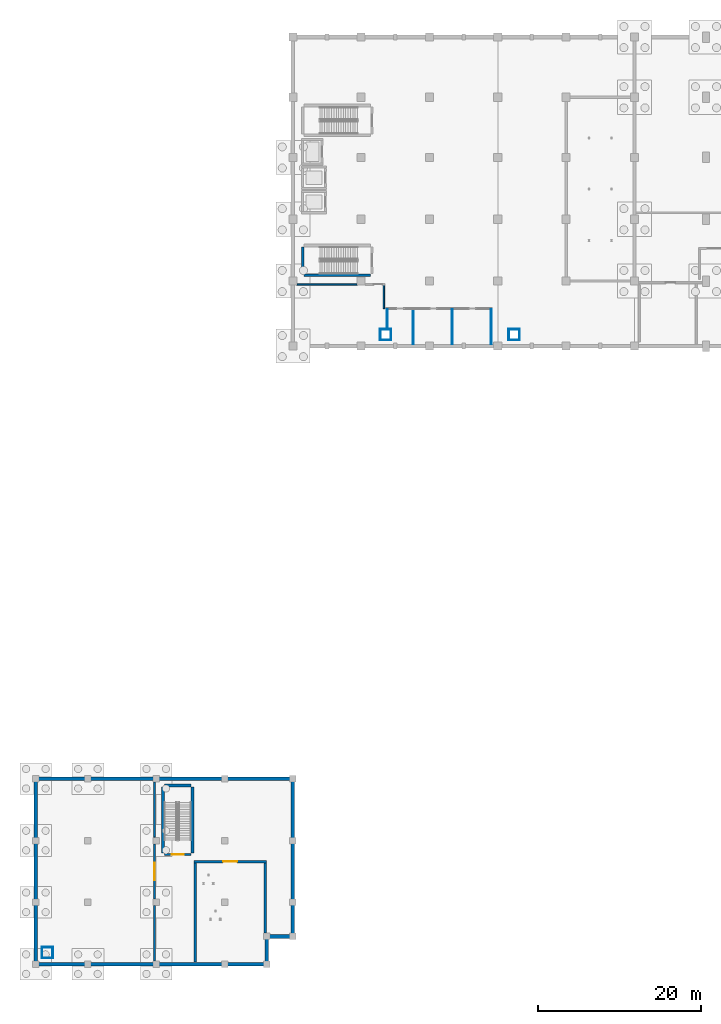
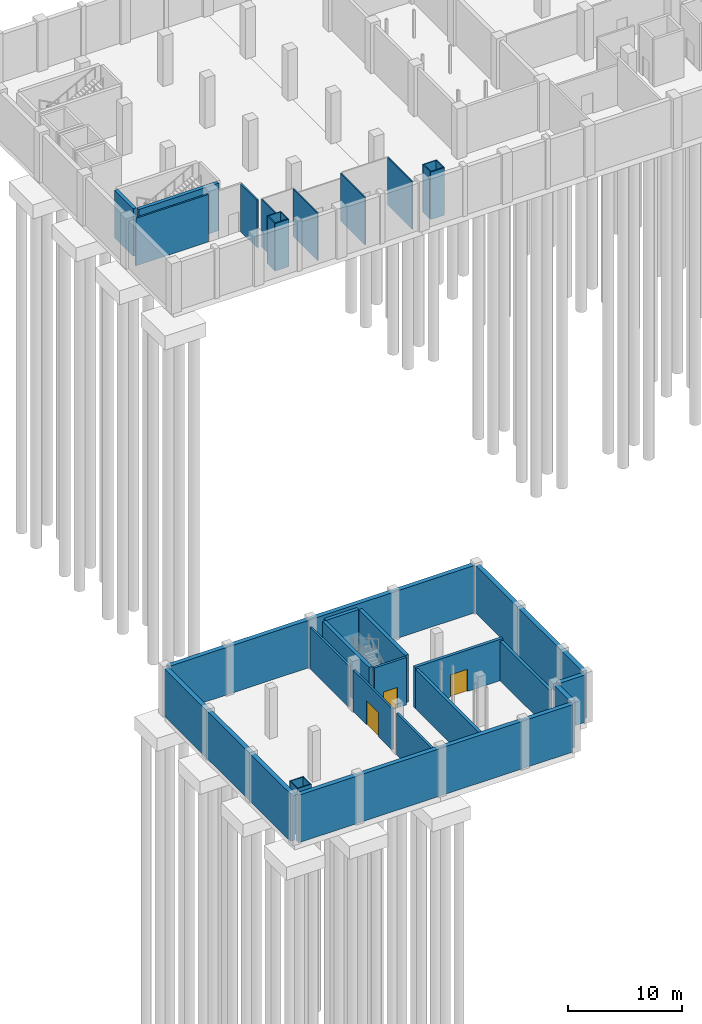
# One storey, part 10 of 20: 36 walls, 3 doors, 3 openings.
"""IFC4 building model written with IfcOpenShell, lengths in metres."""

from ifc_helpers import new_model, si_unit, direction, frame, frame_2d, origin, place, context, subcontext, project, spatial, rectangle, extrude, material, layer, layer_set, type_object, element, fill, save


model = new_model("IFC4")

# Units and contexts
model_context = context("Model", 3, precision=1e-05, world=origin(), true_north=direction((0.0, 1.0)))
body_context = subcontext(model_context, "Body", "Model", "MODEL_VIEW")
ifc_project = project(units=[si_unit("LENGTHUNIT", "METRE"), si_unit("AREAUNIT", "SQUARE_METRE"), si_unit("VOLUMEUNIT", "CUBIC_METRE"), si_unit("PLANEANGLEUNIT", "RADIAN"), si_unit("MASSUNIT", "GRAM", prefix="KILO")], contexts=[model_context])

# Site, building, storey
site_placement = place(None, origin())
site = spatial("IfcSite", under=ifc_project, at=site_placement, CompositionType="ELEMENT")
building_placement = place(site_placement, origin())
building = spatial("IfcBuilding", under=site, at=building_placement, Name="Shengluoqiao Park Theatre", CompositionType="ELEMENT")
storey_placement = place(building_placement, frame((0.0, 0.0, -5.39990234375)))
storey = spatial("IfcBuildingStorey", under=building, at=storey_placement, Name="B1", CompositionType="ELEMENT", Elevation=-5.39990234375)

# Wall, opening, door
ifc_material_1 = material(Name="Gypsum acoustic stud", Category="gypsum")
ifc_layer_1 = layer(ifc_material_1, 0.300048828125, Name="Gypsum acoustic stud")
ifc_layer_set_1 = layer_set([ifc_layer_1], Name="Gypsum acoustic stud")
wall_type_1 = type_object("IfcWallType", Name="INT-WL-ACO300", PredefinedType="PARTITIONING", material=ifc_layer_set_1)
wall_1_placement = place(storey_placement, frame((32.25, 12.60009765625, 0.0), z_axis=(0.0, 0.0, 1.0), x_axis=(1.0, 0.0, 0.0)))
wall_1 = element("IfcWall", 1, at=wall_1_placement, inside=storey, type_object=wall_type_1, Name="Black-Box Acoustic Percussion Studio Partition N", PredefinedType="PARTITIONING", context=body_context, shape_type="SweptSolid", body=[
    extrude(rectangle(XDim=8.89990234375, YDim=0.300048828125, at=frame_2d((4.449951171875, 0.0))), origin(), (0.0, 0.0, 1.0), 4.43798828125),
])
opening_1_placement = place(wall_1_placement, frame((3.590087890625, 0.0, 0.0)))
opening_1 = element("IfcOpeningElement", 2, at=opening_1_placement, cuts=wall_1, Name="Opening D-B1-006", PredefinedType="OPENING", context=body_context, shape_type="SweptSolid", body=[
    extrude(rectangle(XDim=1.719970703125, YDim=2.3798828125, at=frame_2d((0.85986328125, 1.18994140625))), frame((0.0, 0.159912109375, 0.0), z_axis=(0.0, -1.0, 0.0), x_axis=(1.0, 0.0, 0.0)), (0.0, 0.0, 1.0), 0.320068359375),
])
ifc_material_2 = material(Name="Acoustic timber", Category="wood")
door_type_1 = type_object("IfcDoorType", Name="INT-DR-REH172", OperationType="DOUBLE_DOOR_SINGLE_SWING", PredefinedType="DOOR", material=ifc_material_2)
door_1_placement = place(opening_1_placement, origin())
door_1 = element("IfcDoor", 3, at=door_1_placement, inside=storey, type_object=door_type_1, Name="Black-Box Acoustic Percussion Studio Door D-B1-006", OperationType="DOUBLE_DOOR_SINGLE_SWING", OverallHeight=2.3798828125, OverallWidth=1.719970703125, PredefinedType="DOOR", context=body_context, shape_type="SweptSolid", body=[
    extrude(rectangle(XDim=1.719970703125, YDim=2.3798828125, at=frame_2d((0.85986328125, 1.18994140625))), frame((0.0, 0.02490234375, 0.0), z_axis=(0.0, -1.0, 0.0), x_axis=(1.0, 0.0, 0.0)), (0.0, 0.0, 1.0), 0.050048828125),
])
fill(opening_1, door_1)

# Walls
wall_2_placement = place(storey_placement, frame((41.0, 3.805908203125, 0.0), z_axis=(0.0, 0.0, 1.0), x_axis=(0.0, 1.0, 0.0)))
element("IfcWall", 4, at=wall_2_placement, inside=storey, type_object=wall_type_1, Name="Black-Box Acoustic Percussion Studio Partition E", PredefinedType="PARTITIONING", context=body_context, shape_type="SweptSolid", body=[
    extrude(rectangle(XDim=8.63818359375, YDim=0.300048828125, at=frame_2d((4.319091796875, 0.0))), origin(), (0.0, 0.0, 1.0), 4.23779296875),
])
wall_3_placement = place(storey_placement, frame((32.39990234375, 0.23291015625, 0.0), z_axis=(0.0, 0.0, 1.0), x_axis=(0.0, 1.0, 0.0)))
element("IfcWall", 5, at=wall_3_placement, inside=storey, type_object=wall_type_1, Name="Black-Box Acoustic Percussion Studio Partition W", PredefinedType="PARTITIONING", context=body_context, shape_type="SweptSolid", body=[
    extrude(rectangle(XDim=12.211181640625, YDim=0.300048828125, at=frame_2d((6.10546875, 0.0))), origin(), (0.0, 0.0, 1.0), 4.23779296875),
])
ifc_material_3 = material(Name="Concrete blockwork B06", Category="masonry")
ifc_layer_2 = layer(ifc_material_3, 0.2099609375, Name="Concrete blockwork B06")
ifc_layer_set_2 = layer_set([ifc_layer_2], Name="Concrete blockwork B06")
wall_type_2 = type_object("IfcWallType", Name="INT-WL-CMP210", PredefinedType="PARTITIONING", material=ifc_layer_set_2)
wall_4_placement = place(storey_placement, frame((27.39990234375, 15.60595703125, 0.0), z_axis=(0.0, 0.0, 1.0), x_axis=(0.0, 1.0, 0.0)))
element("IfcWall", 6, at=wall_4_placement, inside=storey, type_object=wall_type_2, Name="Black-Box Understage Trap and Scenery Workshop Partition E", PredefinedType="PARTITIONING", context=body_context, shape_type="SweptSolid", body=[
    extrude(rectangle(XDim=6.7861328125, YDim=0.2099609375, at=frame_2d((3.39306640625, 0.0))), origin(), (0.0, 0.0, 1.0), 4.449951171875),
])

# Wall, opening, door
wall_5_placement = place(storey_placement, frame((27.39990234375, 8.006103515625, 0.0), z_axis=(0.0, 0.0, 1.0), x_axis=(0.0, 1.0, 0.0)))
wall_5 = element("IfcWall", 7, at=wall_5_placement, inside=storey, type_object=wall_type_2, Name="Black-Box Understage Trap and Scenery Workshop Partition E", PredefinedType="PARTITIONING", context=body_context, shape_type="SweptSolid", body=[
    extrude(rectangle(XDim=6.787841796875, YDim=0.2099609375, at=frame_2d((3.39404296875, 0.0))), origin(), (0.0, 0.0, 1.0), 4.449951171875),
])
opening_2_placement = place(wall_5_placement, frame((2.303955078125, 0.0, 0.0)))
opening_2 = element("IfcOpeningElement", 8, at=opening_2_placement, cuts=wall_5, Name="Opening D-B1-005", PredefinedType="OPENING", context=body_context, shape_type="SweptSolid", body=[
    extrude(rectangle(XDim=2.179931640625, YDim=2.580078125, at=frame_2d((1.08984375, 1.2900390625))), frame((0.0, 0.114990234375, 0.0), z_axis=(0.0, -1.0, 0.0), x_axis=(1.0, 0.0, 0.0)), (0.0, 0.0, 1.0), 0.22998046875),
])
ifc_material_4 = material(Name="Steel Q355", Category="steel")
door_type_2 = type_object("IfcDoorType", Name="INT-DR-WKS218", OperationType="DOUBLE_DOOR_SINGLE_SWING", PredefinedType="DOOR", material=ifc_material_4)
door_2_placement = place(opening_2_placement, origin())
door_2 = element("IfcDoor", 9, at=door_2_placement, inside=storey, type_object=door_type_2, Name="Black-Box Understage Trap and Scenery Workshop Door D-B1-005", OperationType="DOUBLE_DOOR_SINGLE_SWING", OverallHeight=2.580078125, OverallWidth=2.179931640625, PredefinedType="DOOR", context=body_context, shape_type="SweptSolid", body=[
    extrude(rectangle(XDim=2.179931640625, YDim=2.580078125, at=frame_2d((1.08984375, 1.2900390625))), frame((0.0, 0.02490234375, 0.0), z_axis=(0.0, -1.0, 0.0), x_axis=(1.0, 0.0, 0.0)), (0.0, 0.0, 1.0), 0.050048828125),
])
fill(opening_2, door_2)

# Walls
wall_6_placement = place(storey_placement, frame((27.39990234375, 0.407958984375, 0.0), z_axis=(0.0, 0.0, 1.0), x_axis=(0.0, 1.0, 0.0)))
element("IfcWall", 10, at=wall_6_placement, inside=storey, type_object=wall_type_2, Name="Black-Box Understage Trap and Scenery Workshop Partition E", PredefinedType="PARTITIONING", context=body_context, shape_type="SweptSolid", body=[
    extrude(rectangle(XDim=6.7861328125, YDim=0.2099609375, at=frame_2d((3.39306640625, 0.0))), origin(), (0.0, 0.0, 1.0), 4.449951171875),
])
ifc_layer_3 = layer(ifc_material_1, 0.175048828125, Name="Gypsum acoustic stud")
ifc_layer_set_3 = layer_set([ifc_layer_3], Name="Gypsum acoustic stud")
wall_type_3 = type_object("IfcWallType", Name="INT-WL-COR175", PredefinedType="PARTITIONING", material=ifc_layer_set_3)
wall_7_placement = place(storey_placement, frame((44.906005859375, 83.60009765625, 0.0), z_axis=(0.0, 0.0, 1.0), x_axis=(1.0, 0.0, 0.0)))
element("IfcWall", 11, at=wall_7_placement, inside=storey, type_object=wall_type_3, Name="Covered Staff and Visitor Bicycle Store Partition N", PredefinedType="PARTITIONING", context=body_context, shape_type="SweptSolid", body=[
    extrude(rectangle(XDim=7.387939453125, YDim=0.175048828125, at=frame_2d((3.69384765625, 0.0))), origin(), (0.0, 0.0, 1.0), 5.099853515625),
])
wall_8_placement = place(storey_placement, frame((55.60009765625, 80.614013671875, 0.0), z_axis=(0.0, 0.0, 1.0), x_axis=(0.0, 1.0, 0.0)))
element("IfcWall", 12, at=wall_8_placement, inside=storey, type_object=wall_type_3, Name="Covered Staff and Visitor Bicycle Store Partition E", PredefinedType="PARTITIONING", context=body_context, shape_type="SweptSolid", body=[
    extrude(rectangle(XDim=2.892578125, YDim=0.175048828125, at=frame_2d((1.4462890625, 0.0))), origin(), (0.0, 0.0, 1.0), 5.099853515625),
])
ifc_material_5 = material(Name="Gypsum shaftwall", Category="gypsum")
ifc_layer_4 = layer(ifc_material_5, 0.094970703125, Name="Gypsum shaftwall")
ifc_layer_set_4 = layer_set([ifc_layer_4], Name="Gypsum shaftwall")
wall_type_4 = type_object("IfcWallType", Name="INT-WL-RSR095", PredefinedType="PARTITIONING", material=ifc_layer_set_4)
for number, where, z_axis, x_axis, name in (
    (13, (13.5048828125, 0.75, 0.0), (0.0, 0.0, 1.0), (1.0, 0.0, 0.0), "B1 Service Riser Shaftwall 001"),
    (14, (13.5048828125, 2.070068359375, 0.0), (0.0, 0.0, 1.0), (1.0, 0.0, 0.0), "B1 Service Riser Shaftwall 002"),
):
    element("IfcWall", number, at=place(storey_placement, frame(where, z_axis=z_axis, x_axis=x_axis)), inside=storey, type_object=wall_type_4, Name=name, PredefinedType="PARTITIONING", context=body_context, shape_type="SweptSolid", body=[
        extrude(rectangle(XDim=1.41015625, YDim=0.094970703125, at=frame_2d((0.705078125, 0.0))), origin(), (0.0, 0.0, 1.0), 5.099853515625),
    ])
for number, where, z_axis, x_axis, name in (
    (15, (13.550048828125, 0.804931640625, 0.0), (0.0, 0.0, 1.0), (0.0, 1.0, 0.0), "B1 Service Riser Shaftwall 003"),
    (16, (14.8701171875, 0.804931640625, 0.0), (0.0, 0.0, 1.0), (0.0, 1.0, 0.0), "B1 Service Riser Shaftwall 004"),
):
    element("IfcWall", number, at=place(storey_placement, frame(where, z_axis=z_axis, x_axis=x_axis)), inside=storey, type_object=wall_type_4, Name=name, PredefinedType="PARTITIONING", context=body_context, shape_type="SweptSolid", body=[
        extrude(rectangle(XDim=1.2099609375, YDim=0.094970703125, at=frame_2d((0.60498046875, 0.0))), origin(), (0.0, 0.0, 1.0), 5.099853515625),
    ])
for number, where, z_axis, x_axis, name in (
    (17, (55.10498046875, 76.75, 0.0), (0.0, 0.0, 1.0), (1.0, 0.0, 0.0), "B1 Service Riser Shaftwall 005"),
    (18, (55.10498046875, 78.070068359375, 0.0), (0.0, 0.0, 1.0), (1.0, 0.0, 0.0), "B1 Service Riser Shaftwall 006"),
):
    element("IfcWall", number, at=place(storey_placement, frame(where, z_axis=z_axis, x_axis=x_axis)), inside=storey, type_object=wall_type_4, Name=name, PredefinedType="PARTITIONING", context=body_context, shape_type="SweptSolid", body=[
        extrude(rectangle(XDim=1.409912109375, YDim=0.094970703125, at=frame_2d((0.705078125, 0.0))), origin(), (0.0, 0.0, 1.0), 5.099853515625),
    ])
for number, where, z_axis, x_axis, name in (
    (19, (55.14990234375, 76.804931640625, 0.0), (0.0, 0.0, 1.0), (0.0, 1.0, 0.0), "B1 Service Riser Shaftwall 007"),
    (20, (56.469970703125, 76.804931640625, 0.0), (0.0, 0.0, 1.0), (0.0, 1.0, 0.0), "B1 Service Riser Shaftwall 008"),
):
    element("IfcWall", number, at=place(storey_placement, frame(where, z_axis=z_axis, x_axis=x_axis)), inside=storey, type_object=wall_type_4, Name=name, PredefinedType="PARTITIONING", context=body_context, shape_type="SweptSolid", body=[
        extrude(rectangle(XDim=1.2099609375, YDim=0.094970703125, at=frame_2d((0.60498046875, 0.0))), origin(), (0.0, 0.0, 1.0), 5.099853515625),
    ])
for number, where, z_axis, x_axis, name in (
    (21, (70.905029296875, 76.75, 0.0), (0.0, 0.0, 1.0), (1.0, 0.0, 0.0), "B1 Service Riser Shaftwall 009"),
    (22, (70.905029296875, 78.070068359375, 0.0), (0.0, 0.0, 1.0), (1.0, 0.0, 0.0), "B1 Service Riser Shaftwall 010"),
):
    element("IfcWall", number, at=place(storey_placement, frame(where, z_axis=z_axis, x_axis=x_axis)), inside=storey, type_object=wall_type_4, Name=name, PredefinedType="PARTITIONING", context=body_context, shape_type="SweptSolid", body=[
        extrude(rectangle(XDim=1.409912109375, YDim=0.094970703125, at=frame_2d((0.705078125, 0.0))), origin(), (0.0, 0.0, 1.0), 5.099853515625),
    ])
for number, where, z_axis, x_axis, name in (
    (23, (70.949951171875, 76.804931640625, 0.0), (0.0, 0.0, 1.0), (0.0, 1.0, 0.0), "B1 Service Riser Shaftwall 011"),
    (24, (72.27001953125, 76.804931640625, 0.0), (0.0, 0.0, 1.0), (0.0, 1.0, 0.0), "B1 Service Riser Shaftwall 012"),
):
    element("IfcWall", number, at=place(storey_placement, frame(where, z_axis=z_axis, x_axis=x_axis)), inside=storey, type_object=wall_type_4, Name=name, PredefinedType="PARTITIONING", context=body_context, shape_type="SweptSolid", body=[
        extrude(rectangle(XDim=1.2099609375, YDim=0.094970703125, at=frame_2d((0.60498046875, 0.0))), origin(), (0.0, 0.0, 1.0), 5.099853515625),
    ])

# Wall, opening, door
ifc_material_6 = material(Name="Concrete C40", Category="concrete")
ifc_layer_5 = layer(ifc_material_6, 0.239990234375, Name="Concrete C40")
ifc_layer_set_5 = layer_set([ifc_layer_5], Name="Concrete C40")
wall_type_5 = type_object("IfcWallType", Name="INT-WL-STW240", PredefinedType="STANDARD", material=ifc_layer_set_5)
wall_9_placement = place(storey_placement, frame((31.889892578125, 13.4599609375, 0.0), z_axis=(0.0, 0.0, 1.0), x_axis=(-1.0, 0.0, 0.0)))
wall_9 = element("IfcWall", 25, at=wall_9_placement, inside=storey, type_object=wall_type_5, Name="B1 ST-04 Stairwell Fire Wall", PredefinedType="STANDARD", context=body_context, shape_type="SweptSolid", body=[
    extrude(rectangle(XDim=3.27978515625, YDim=0.239990234375, at=frame_2d((1.639892578125, 0.0))), origin(), (0.0, 0.0, 1.0), 5.099853515625),
])
opening_3_placement = place(wall_9_placement, frame((0.9150390625, 0.0, 0.0)))
opening_3 = element("IfcOpeningElement", 26, at=opening_3_placement, cuts=wall_9, Name="Opening SD-04-B1", PredefinedType="OPENING", context=body_context, shape_type="SweptSolid", body=[
    extrude(rectangle(XDim=1.449951171875, YDim=2.199951171875, at=frame_2d((0.72509765625, 1.10009765625))), frame((0.0, 0.1298828125, 0.0), z_axis=(0.0, -1.0, 0.0), x_axis=(1.0, 0.0, 0.0)), (0.0, 0.0, 1.0), 0.260009765625),
])
door_type_3 = type_object("IfcDoorType", Name="INT-DR-STW145", OperationType="DOUBLE_DOOR_SINGLE_SWING", PredefinedType="DOOR", material=ifc_material_4)
door_3_placement = place(opening_3_placement, origin())
door_3 = element("IfcDoor", 27, at=door_3_placement, inside=storey, type_object=door_type_3, Name="B1 ST-04 Escape Stair Door SD-04-B1", OperationType="DOUBLE_DOOR_SINGLE_SWING", OverallHeight=2.199951171875, OverallWidth=1.449951171875, PredefinedType="DOOR", context=body_context, shape_type="SweptSolid", body=[
    extrude(rectangle(XDim=1.449951171875, YDim=2.199951171875, at=frame_2d((0.72509765625, 1.10009765625))), frame((0.0, 0.02490234375, 0.0), z_axis=(0.0, -1.0, 0.0), x_axis=(1.0, 0.0, 0.0)), (0.0, 0.0, 1.0), 0.050048828125),
])
fill(opening_3, door_3)

# Walls
ifc_material_7 = material(Name="Moisture-resistant board")
ifc_layer_6 = layer(ifc_material_7, 0.114990234375, Name="Moisture-resistant board")
ifc_layer_set_6 = layer_set([ifc_layer_6], Name="Moisture-resistant board")
wall_type_6 = type_object("IfcWallType", Name="INT-WL-WCP115", PredefinedType="PARTITIONING", material=ifc_layer_set_6)
wall_10_placement = place(storey_placement, frame((56.0, 78.08251953125, 0.0), z_axis=(0.0, 0.0, 1.0), x_axis=(0.0, 1.0, 0.0)))
element("IfcWall", 28, at=wall_10_placement, inside=storey, type_object=wall_type_6, Name="Basement Accessible WC Partition W", PredefinedType="PARTITIONING", context=body_context, shape_type="SweptSolid", body=[
    extrude(rectangle(XDim=2.4541015625, YDim=0.114990234375, at=frame_2d((1.22705078125, 0.0))), origin(), (0.0, 0.0, 1.0), 5.099853515625),
])
for number, where, z_axis, x_axis, name in (
    (29, (59.199951171875, 76.23291015625, 0.0), (0.0, 0.0, 1.0), (0.0, 1.0, 0.0), "Basement Accessible WC Partition E"),
    (30, (64.0, 76.23291015625, 0.0), (0.0, 0.0, 1.0), (0.0, 1.0, 0.0), "Basement Public Male WC Partition E"),
    (31, (68.800048828125, 76.23291015625, 0.0), (0.0, 0.0, 1.0), (0.0, 1.0, 0.0), "Basement Public Female WC Partition E"),
):
    element("IfcWall", number, at=place(storey_placement, frame(where, z_axis=z_axis, x_axis=x_axis)), inside=storey, type_object=wall_type_6, Name=name, PredefinedType="PARTITIONING", context=body_context, shape_type="SweptSolid", body=[
        extrude(rectangle(XDim=4.3037109375, YDim=0.114990234375, at=frame_2d((2.15185546875, 0.0))), origin(), (0.0, 0.0, 1.0), 5.099853515625),
    ])
ifc_layer_7 = layer(ifc_material_6, 0.449951171875, Name="Concrete C40")
ifc_layer_set_7 = layer_set([ifc_layer_7], Name="Concrete C40")
wall_type_7 = type_object("IfcWallType", Name="STR-SW-B1RET450", PredefinedType="SHEAR", material=ifc_layer_set_7)
wall_11_placement = place(storey_placement, frame((13.10009765625, 0.0, 0.0), z_axis=(0.0, 0.0, 1.0), x_axis=(1.0, 0.0, 0.0)))
element("IfcWall", 32, at=wall_11_placement, inside=storey, type_object=wall_type_7, Name="B1 Basement Retaining Wall 0007", PredefinedType="SHEAR", context=body_context, shape_type="SweptSolid", body=[
    extrude(rectangle(XDim=27.7998046875, YDim=0.449951171875, at=frame_2d((13.89990234375, 0.0))), origin(), (0.0, 0.0, 1.0), 5.099853515625),
])
wall_12_placement = place(storey_placement, frame((41.199951171875, 0.300048828125, 0.0), z_axis=(0.0, 0.0, 1.0), x_axis=(0.0, 1.0, 0.0)))
element("IfcWall", 33, at=wall_12_placement, inside=storey, type_object=wall_type_7, Name="B1 Basement Retaining Wall 0008", PredefinedType="SHEAR", context=body_context, shape_type="SweptSolid", body=[
    extrude(rectangle(XDim=2.800048828125, YDim=0.449951171875, at=frame_2d((1.39990234375, 0.0))), origin(), (0.0, 0.0, 1.0), 5.099853515625),
])
wall_13_placement = place(storey_placement, frame((41.5, 3.39990234375, 0.0), z_axis=(0.0, 0.0, 1.0), x_axis=(1.0, 0.0, 0.0)))
element("IfcWall", 34, at=wall_13_placement, inside=storey, type_object=wall_type_7, Name="B1 Basement Retaining Wall 0009", PredefinedType="SHEAR", context=body_context, shape_type="SweptSolid", body=[
    extrude(rectangle(XDim=2.60009765625, YDim=0.449951171875, at=frame_2d((1.300048828125, 0.0))), origin(), (0.0, 0.0, 1.0), 5.099853515625),
])
wall_14_placement = place(storey_placement, frame((44.39990234375, 3.699951171875, 0.0), z_axis=(0.0, 0.0, 1.0), x_axis=(0.0, 1.0, 0.0)))
element("IfcWall", 35, at=wall_14_placement, inside=storey, type_object=wall_type_7, Name="B1 Basement Retaining Wall 0010", PredefinedType="SHEAR", context=body_context, shape_type="SweptSolid", body=[
    extrude(rectangle(XDim=18.800048828125, YDim=0.449951171875, at=frame_2d((9.39990234375, 0.0))), origin(), (0.0, 0.0, 1.0), 5.099853515625),
])
wall_15_placement = place(storey_placement, frame((44.10009765625, 22.800048828125, 0.0), z_axis=(0.0, 0.0, 1.0), x_axis=(-1.0, 0.0, 0.0)))
element("IfcWall", 36, at=wall_15_placement, inside=storey, type_object=wall_type_7, Name="B1 Basement Retaining Wall 0011", PredefinedType="SHEAR", context=body_context, shape_type="SweptSolid", body=[
    extrude(rectangle(XDim=31.0, YDim=0.449951171875, at=frame_2d((15.5, 0.0))), origin(), (0.0, 0.0, 1.0), 5.099853515625),
])
wall_16_placement = place(storey_placement, frame((12.800048828125, 22.5, 0.0), z_axis=(0.0, 0.0, 1.0), x_axis=(0.0, -1.0, 0.0)))
element("IfcWall", 37, at=wall_16_placement, inside=storey, type_object=wall_type_7, Name="B1 Basement Retaining Wall 0012", PredefinedType="SHEAR", context=body_context, shape_type="SweptSolid", body=[
    extrude(rectangle(XDim=22.199951171875, YDim=0.449951171875, at=frame_2d((11.10009765625, 0.0))), origin(), (0.0, 0.0, 1.0), 5.099853515625),
])
ifc_material_8 = material(Name="Concrete C50", Category="concrete")
ifc_layer_8 = layer(ifc_material_8, 0.35009765625, Name="Concrete C50")
ifc_layer_set_8 = layer_set([ifc_layer_8], Name="Concrete C50")
wall_type_8 = type_object("IfcWallType", Name="STR-SW-CORE350", PredefinedType="SHEAR", material=ifc_layer_set_8)
wall_17_placement = place(storey_placement, frame((45.6201171875, 88.199951171875, 0.0), z_axis=(0.0, 0.0, 1.0), x_axis=(0.0, -1.0, 0.0)))
element("IfcWall", 38, at=wall_17_placement, inside=storey, type_object=wall_type_8, Name="B1 ST-02 Core Far Shear Wall 0038", PredefinedType="SHEAR", context=body_context, shape_type="SweptSolid", body=[
    extrude(rectangle(XDim=3.300048828125, YDim=0.35009765625, at=frame_2d((1.64990234375, 0.0))), origin(), (0.0, 0.0, 1.0), 5.099853515625),
])
wall_18_placement = place(storey_placement, frame((45.800048828125, 84.719970703125, 0.0), z_axis=(0.0, 0.0, 1.0), x_axis=(1.0, 0.0, 0.0)))
element("IfcWall", 39, at=wall_18_placement, inside=storey, type_object=wall_type_8, Name="B1 ST-02 Core Right Shear Wall 0039", PredefinedType="SHEAR", context=body_context, shape_type="SweptSolid", body=[
    extrude(rectangle(XDim=8.14990234375, YDim=0.35009765625, at=frame_2d((4.074951171875, 0.0))), origin(), (0.0, 0.0, 1.0), 5.099853515625),
])
wall_19_placement = place(storey_placement, frame((32.080078125, 13.64990234375, 0.0), z_axis=(0.0, 0.0, 1.0), x_axis=(0.0, 1.0, 0.0)))
element("IfcWall", 40, at=wall_19_placement, inside=storey, type_object=wall_type_8, Name="B1 ST-04 Core Left Shear Wall 0073", PredefinedType="SHEAR", context=body_context, shape_type="SweptSolid", body=[
    extrude(rectangle(XDim=8.150146484375, YDim=0.35009765625, at=frame_2d((4.0751953125, 0.0))), origin(), (0.0, 0.0, 1.0), 5.099853515625),
])
wall_20_placement = place(storey_placement, frame((31.89990234375, 21.97998046875, 0.0), z_axis=(0.0, 0.0, 1.0), x_axis=(-1.0, 0.0, 0.0)))
element("IfcWall", 41, at=wall_20_placement, inside=storey, type_object=wall_type_8, Name="B1 ST-04 Core Far Shear Wall 0074", PredefinedType="SHEAR", context=body_context, shape_type="SweptSolid", body=[
    extrude(rectangle(XDim=3.2998046875, YDim=0.35009765625, at=frame_2d((1.64990234375, 0.0))), origin(), (0.0, 0.0, 1.0), 5.099853515625),
])
wall_21_placement = place(storey_placement, frame((28.419921875, 21.800048828125, 0.0), z_axis=(0.0, 0.0, 1.0), x_axis=(0.0, -1.0, 0.0)))
element("IfcWall", 42, at=wall_21_placement, inside=storey, type_object=wall_type_8, Name="B1 ST-04 Core Right Shear Wall 0075", PredefinedType="SHEAR", context=body_context, shape_type="SweptSolid", body=[
    extrude(rectangle(XDim=8.150146484375, YDim=0.35009765625, at=frame_2d((4.0751953125, 0.0))), origin(), (0.0, 0.0, 1.0), 5.099853515625),
])

save(model, "model.ifc")
